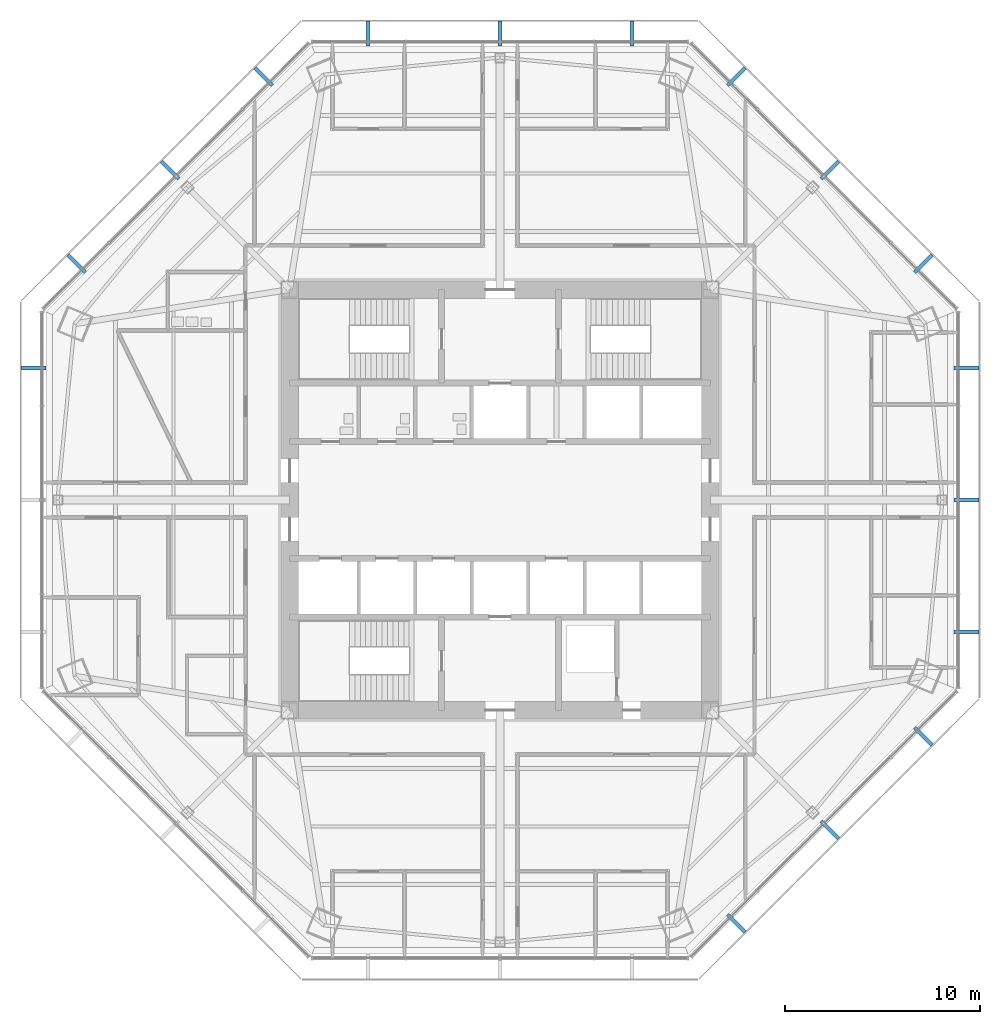
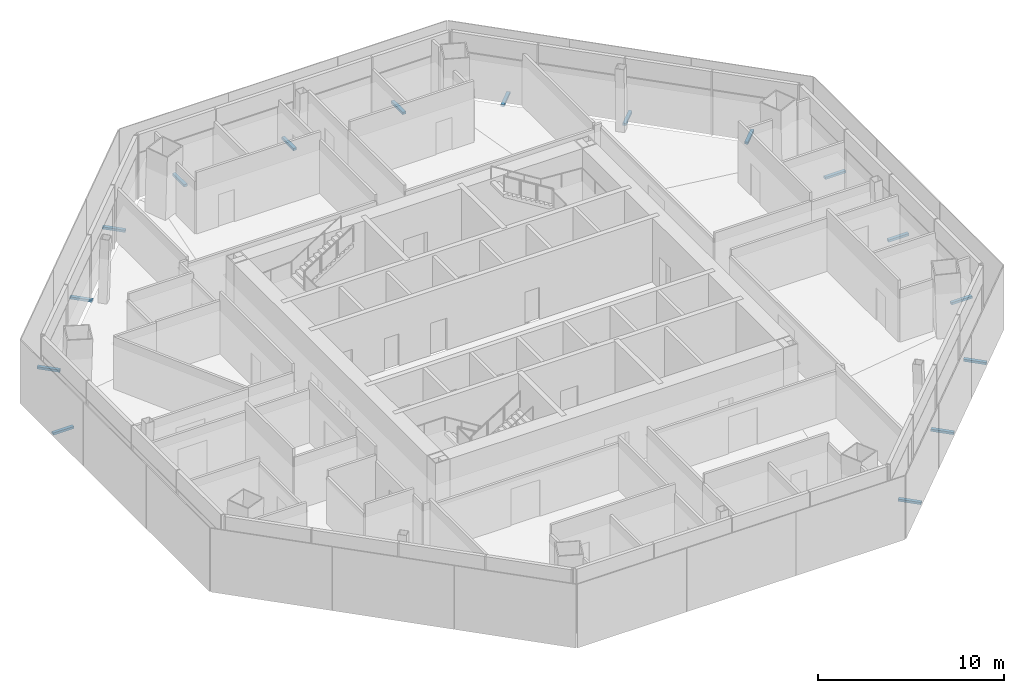
# One storey, part 12 of 15: 16 discrete accessories.
"""IFC4 building model written with IfcOpenShell, lengths in metres."""

from ifc_helpers import new_model, si_unit, direction, frame, origin, origin_2d, place, context, subcontext, project, spatial, rectangle, extrude, source, transform, mapped, material, type_object, type_shapes, element, save


model = new_model("IFC4")

# Units and contexts
model_context = context("Model", 3, precision=1e-05, world=origin(), true_north=direction((0.0, 1.0)))
body_context = subcontext(model_context, "Body", "Model", "MODEL_VIEW")
ifc_project = project(units=[si_unit("LENGTHUNIT", "METRE"), si_unit("AREAUNIT", "SQUARE_METRE"), si_unit("VOLUMEUNIT", "CUBIC_METRE"), si_unit("PLANEANGLEUNIT", "RADIAN"), si_unit("MASSUNIT", "GRAM", prefix="KILO")], contexts=[model_context])

# Site, building, storey
site_placement = place(None, origin())
site = spatial("IfcSite", under=ifc_project, at=site_placement, CompositionType="ELEMENT")
building_placement = place(site_placement, origin())
building = spatial("IfcBuilding", under=site, at=building_placement, Name="Mashrafa Tower", CompositionType="ELEMENT")
storey_placement = place(building_placement, frame((0.0, 0.0, 159.60009765625)))
storey = spatial("IfcBuildingStorey", under=building, at=storey_placement, Name="L36", CompositionType="ELEMENT", Elevation=159.60009765625)

# Discrete accessories
ifc_material = material(Name="Stainless steel screen bracket", Category="steel")
discrete_accessory_type = type_object("IfcDiscreteAccessoryType", Name="Screen support bracket 200 x 150", PredefinedType="BRACKET", material=ifc_material)
shared_shape = source(origin(), body_context, "Body", "SweptSolid", [
    extrude(rectangle(XDim=0.199951171875, YDim=1.27001953125, at=origin_2d()), origin(), (0.0, 0.0, 1.0), 0.14990234375),
])
type_shapes(discrete_accessory_type, [shared_shape])
for number, where, z_axis, x_axis, name in (
    (1, (23.934814453125, -6.778076171875, -0.150146484375), (0.0, 0.0, 1.0), (0.0, 1.0, 0.0), "Screen support bracket L36 east 1"),
    (2, (23.934814453125, 0.0, -0.150146484375), (0.0, 0.0, 1.0), (0.0, 1.0, 0.0), "Screen support bracket L36 east 2"),
    (3, (23.934814453125, 6.778076171875, -0.150146484375), (0.0, 0.0, 1.0), (0.0, 1.0, 0.0), "Screen support bracket L36 east 3"),
    (4, (21.71728515625, 12.131591796875, -0.150146484375), (0.0, 0.0, 1.0), (-0.707106781187, 0.707106781187, 0.0), "Screen support bracket L36 north-east 1"),
    (5, (16.924560546875, 16.924560546875, -0.150146484375), (0.0, 0.0, 1.0), (-0.707106781187, 0.707106781187, 0.0), "Screen support bracket L36 north-east 2"),
    (6, (12.131591796875, 21.71728515625, -0.150146484375), (0.0, 0.0, 1.0), (-0.707106781187, 0.707106781187, 0.0), "Screen support bracket L36 north-east 3"),
    (7, (6.778076171875, 23.934814453125, -0.150146484375), (0.0, 0.0, 1.0), (-1.0, 0.0, 0.0), "Screen support bracket L36 north 1"),
    (8, (0.0, 23.934814453125, -0.150146484375), (0.0, 0.0, 1.0), (-1.0, 0.0, 0.0), "Screen support bracket L36 north 2"),
    (9, (-6.778076171875, 23.934814453125, -0.150146484375), (0.0, 0.0, 1.0), (-1.0, 0.0, 0.0), "Screen support bracket L36 north 3"),
    (10, (-12.131591796875, 21.71728515625, -0.150146484375), (0.0, 0.0, 1.0), (-0.707106781187, -0.707106781187, 0.0), "Screen support bracket L36 north-west 1"),
    (11, (-16.924560546875, 16.924560546875, -0.150146484375), (0.0, 0.0, 1.0), (-0.707106781187, -0.707106781187, 0.0), "Screen support bracket L36 north-west 2"),
    (12, (-21.71728515625, 12.131591796875, -0.150146484375), (0.0, 0.0, 1.0), (-0.707106781187, -0.707106781187, 0.0), "Screen support bracket L36 north-west 3"),
    (13, (-23.934814453125, 6.778076171875, -0.150146484375), (0.0, 0.0, 1.0), (0.0, -1.0, 0.0), "Screen support bracket L36 west 1"),
    (14, (12.131591796875, -21.71728515625, -0.150146484375), (0.0, 0.0, 1.0), (0.707106781187, 0.707106781187, 0.0), "Screen support bracket L36 south-east 1"),
    (15, (16.924560546875, -16.924560546875, -0.150146484375), (0.0, 0.0, 1.0), (0.707106781187, 0.707106781187, 0.0), "Screen support bracket L36 south-east 2"),
    (16, (21.71728515625, -12.131591796875, -0.150146484375), (0.0, 0.0, 1.0), (0.707106781187, 0.707106781187, 0.0), "Screen support bracket L36 south-east 3"),
):
    element("IfcDiscreteAccessory", number, at=place(storey_placement, frame(where, z_axis=z_axis, x_axis=x_axis)), inside=storey, type_object=discrete_accessory_type, Name=name, PredefinedType="BRACKET", context=body_context, shape_type="MappedRepresentation", body=[
        mapped(shared_shape, transform((0.0, 0.0, 0.0))),
    ])

save(model, "model.ifc")
